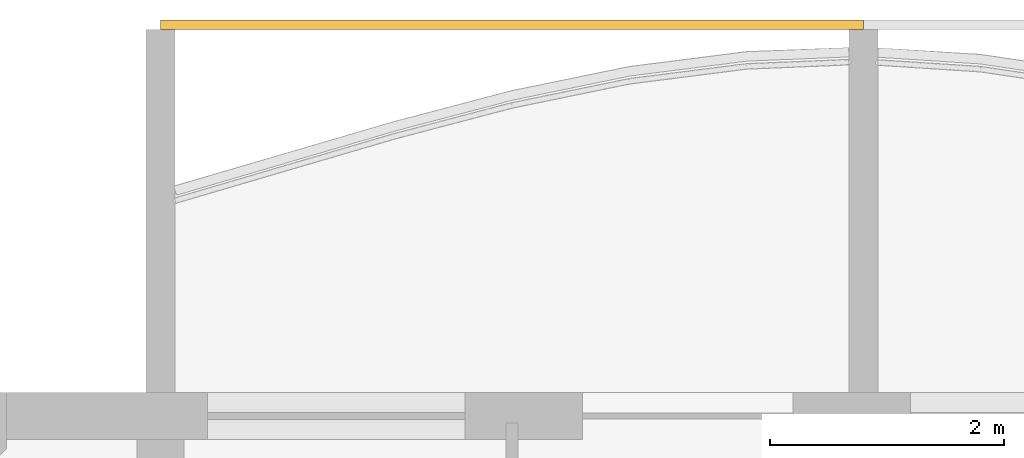
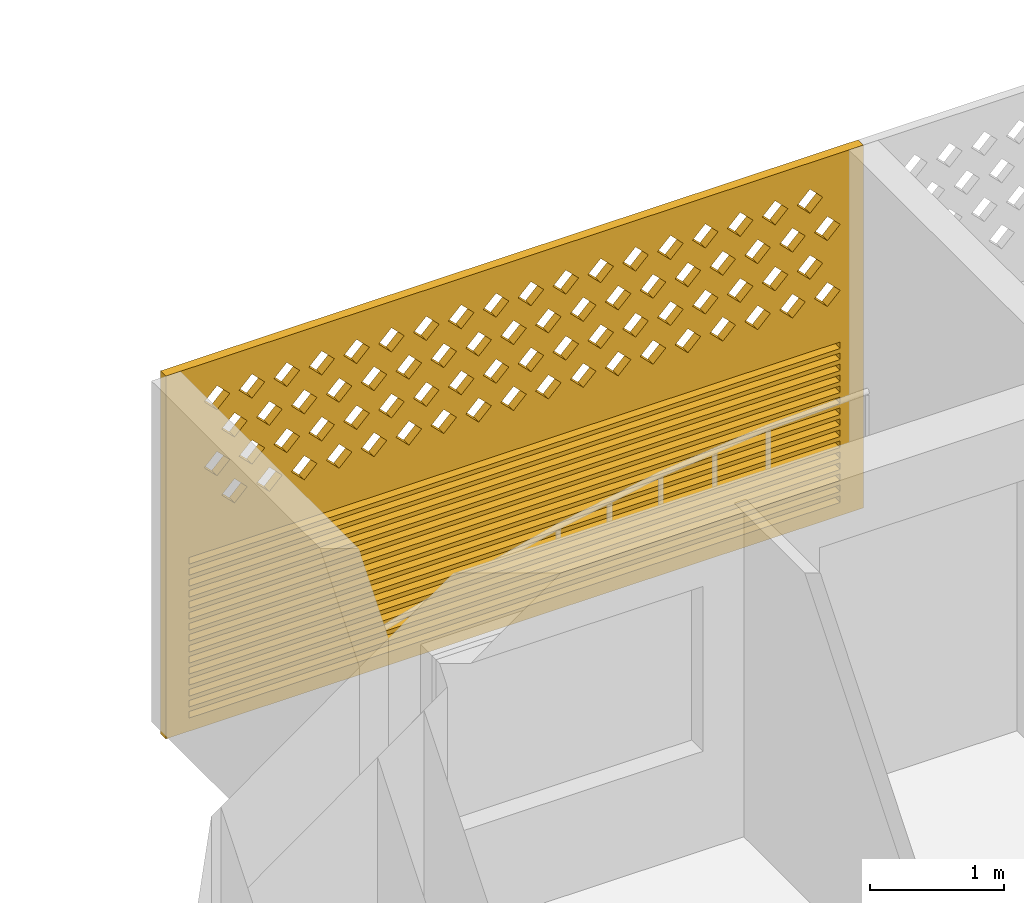
# One storey, part 20 of 39: 1 covering.
"""IFC4 building model written with IfcOpenShell, lengths in metres."""

import ifcopenshell
import ifcopenshell.guid

model = None  # the IFC model being written
_history = None  # IfcOwnerHistory: only IFC2X3 demands one
_inside = {}  # id of a spatial element -> (the spatial element, [elements in it])
_under = {}  # id of a project, library or spatial element -> (it, [spatial elements below it])
_declared = {}  # id of a project -> (the project, [libraries it declares])
_typed = {}  # id of a type object -> (the type object, [elements of that type])
_made_of = {}  # id of a material, layer set ... -> (it, [elements and type objects made of it])


def new_model(schema):
    """Start an empty IFC model of exactly this schema.

    Asked for "IFC4X3", IfcOpenShell would pick the latest addendum, in which some entities
    have other attributes; the version numbers below select the first issue.
    IFC2X3 requires an IfcOwnerHistory on every rooted entity: one is made here for all.
    """
    global model, _history
    if schema == "IFC4X3":
        model = ifcopenshell.file(schema_version=(4, 3, 0, 0))
    else:
        model = ifcopenshell.file(schema=schema)
    _inside.clear()
    _under.clear()
    _declared.clear()
    _typed.clear()
    _made_of.clear()
    _history = None
    if model.schema == "IFC2X3":
        org = make("IfcOrganization", Name="unknown")
        user = make(
            "IfcPersonAndOrganization",
            ThePerson=make("IfcPerson", FamilyName="unknown"),
            TheOrganization=org,
        )
        app = make(
            "IfcApplication",
            ApplicationDeveloper=org,
            Version="unknown",
            ApplicationFullName="unknown",
            ApplicationIdentifier="unknown",
        )
        _history = make(
            "IfcOwnerHistory",
            OwningUser=user,
            OwningApplication=app,
            ChangeAction="ADDED",
            CreationDate=0,
        )
    return model


def make(cls, **values):
    """One entity of the class cls with the attributes given. An attribute that is None is left unset."""
    return model.create_entity(
        cls, **{name: value for name, value in values.items() if value is not None}
    )


def rooted(cls, **values):
    """An entity with a GlobalId (a new one), such as an element, a storey or a relation."""
    return make(cls, GlobalId=ifcopenshell.guid.new(), OwnerHistory=_history, **values)


def si_unit(unit_type, name, prefix=None):
    """IfcSIUnit, for example si_unit("LENGTHUNIT", "METRE", prefix="MILLI")."""
    return make("IfcSIUnit", UnitType=unit_type, Prefix=prefix, Name=name)


def assignment(units):
    """IfcUnitAssignment: the units of a project."""
    return None if units is None else make("IfcUnitAssignment", Units=units)


def point(xyz):
    """IfcCartesianPoint."""
    return None if xyz is None else make("IfcCartesianPoint", Coordinates=xyz)


def direction(xyz):
    """IfcDirection."""
    return None if xyz is None else make("IfcDirection", DirectionRatios=xyz)


def frame(location, z_axis=None, x_axis=None):
    """IfcAxis2Placement3D, a coordinate frame: its origin and axes. An axis left out is left unset."""
    return make(
        "IfcAxis2Placement3D",
        Location=point(location),
        Axis=direction(z_axis),
        RefDirection=direction(x_axis),
    )


def origin():
    """The frame at (0, 0, 0) with its axes left unset."""
    return frame((0.0, 0.0, 0.0))


def place(relative_to, where):
    """IfcLocalPlacement: puts the frame where relative to a parent placement (None: the world)."""
    return make(
        "IfcLocalPlacement", PlacementRelTo=relative_to, RelativePlacement=where
    )


def context(
    kind, dimensions, precision=None, world=None, true_north=None, identifier=None
):
    """IfcGeometricRepresentationContext, for example the 3D "Model" context."""
    return make(
        "IfcGeometricRepresentationContext",
        ContextIdentifier=identifier,
        ContextType=kind,
        CoordinateSpaceDimension=dimensions,
        Precision=precision,
        WorldCoordinateSystem=world,
        TrueNorth=true_north,
    )


def subcontext(parent, identifier, kind, view, scale=None):
    """IfcGeometricRepresentationSubContext, for example "Body" below "Model"."""
    return make(
        "IfcGeometricRepresentationSubContext",
        ContextIdentifier=identifier,
        ContextType=kind,
        ParentContext=parent,
        TargetScale=scale,
        TargetView=view,
    )


def project(units=None, contexts=None):
    """IfcProject with its units and contexts."""
    return rooted(
        "IfcProject",
        Name="project",
        RepresentationContexts=contexts,
        UnitsInContext=assignment(units),
    )


def spatial(cls, under=None, at=None, **own):
    """A site, building, storey or space (cls), placed at a placement, below another one or the project."""
    s = rooted(cls, ObjectPlacement=at, **own)
    if under is not None:
        _under.setdefault(under.id(), (under, []))[1].append(s)
    return s


def polyline(points):
    """IfcPolyline through the points."""
    return make("IfcPolyline", Points=[point(p) for p in points])


def outline(outer, holes=None, kind="AREA"):
    """IfcArbitraryClosedProfileDef: a profile drawn as a closed curve; with holes, ...WithVoids."""
    if holes is None:
        return make("IfcArbitraryClosedProfileDef", ProfileType=kind, OuterCurve=outer)
    return make(
        "IfcArbitraryProfileDefWithVoids",
        ProfileType=kind,
        OuterCurve=outer,
        InnerCurves=holes,
    )


def extrude(swept, where, along, depth):
    """IfcExtrudedAreaSolid: the profile swept, set in the frame where, extruded along a direction by depth."""
    return make(
        "IfcExtrudedAreaSolid",
        SweptArea=swept,
        Position=where,
        ExtrudedDirection=direction(along),
        Depth=depth,
    )


def shape(context_of_items, identifier, shape_type, items):
    """IfcShapeRepresentation: the items that make up one representation, for example the "Body"."""
    return make(
        "IfcShapeRepresentation",
        ContextOfItems=context_of_items,
        RepresentationIdentifier=identifier,
        RepresentationType=shape_type,
        Items=items,
    )


def source(mapping_origin, context_of_items, identifier, shape_type, items):
    """IfcRepresentationMap: a shape defined once, which mapped items show again and again."""
    return make(
        "IfcRepresentationMap",
        MappingOrigin=mapping_origin,
        MappedRepresentation=shape(context_of_items, identifier, shape_type, items),
    )


def transform(
    local_origin,
    x_axis=None,
    y_axis=None,
    z_axis=None,
    scale=None,
    scale2=None,
    scale3=None,
    uniform=True,
):
    """IfcCartesianTransformationOperator3D, or its non-uniform kind. x_axis, y_axis, z_axis: its Axis1, 2, 3."""
    if uniform:
        return make(
            "IfcCartesianTransformationOperator3D",
            Axis1=direction(x_axis),
            Axis2=direction(y_axis),
            LocalOrigin=point(local_origin),
            Scale=scale,
            Axis3=direction(z_axis),
        )
    return make(
        "IfcCartesianTransformationOperator3DnonUniform",
        Axis1=direction(x_axis),
        Axis2=direction(y_axis),
        LocalOrigin=point(local_origin),
        Scale=scale,
        Axis3=direction(z_axis),
        Scale2=scale2,
        Scale3=scale3,
    )


def mapped(mapping_source, mapping_target):
    """IfcMappedItem: shows the shape of a source again, moved by a transform."""
    return make(
        "IfcMappedItem", MappingSource=mapping_source, MappingTarget=mapping_target
    )


def material(Name=None, Category=None):
    """IfcMaterial."""
    return make("IfcMaterial", Name=Name, Category=Category)


def material_profile(
    of_material, cross_section, Name=None, Category=None, Priority=None
):
    """IfcMaterialProfile: a cross section and its material."""
    return make(
        "IfcMaterialProfile",
        Name=Name,
        Material=of_material,
        Profile=cross_section,
        Priority=Priority,
        Category=Category,
    )


def profile_set(profiles, Name=None, composite=None):
    """IfcMaterialProfileSet."""
    return make(
        "IfcMaterialProfileSet",
        Name=Name,
        MaterialProfiles=profiles,
        CompositeProfile=composite,
    )


def made_of(thing, what):
    """Note that an element or type object is made of a material, layer set ...; save() writes the relation."""
    if what is not None:
        _made_of.setdefault(what.id(), (what, []))[1].append(thing)
    return thing


def type_object(cls, material=None, **own):
    """A type object (cls), such as IfcWallType, which elements share."""
    return made_of(rooted(cls, **own), material)


def element(
    cls,
    number,
    at=None,
    inside=None,
    cuts=None,
    type_object=None,
    material=None,
    context=None,
    identifier="Body",
    shape_type=None,
    held_by="IfcProductDefinitionShape",
    body=None,
    shapes=None,
    **own,
):
    """One element of the class cls, such as IfcWall. Its Tag is "e" and its number.

    at: its placement. inside: the storey or other place that contains it. cuts: it is an
    opening in that element (IfcRelVoidsElement). A single representation is given by context,
    identifier, shape_type and body (its items); several are given by shapes. held_by: the class
    of the entity that holds the representations. save() writes the other relations.
    """
    e = rooted(cls, Tag="e%d" % number, ObjectPlacement=at, **own)
    if body is not None:
        shapes = [shape(context, identifier, shape_type, body)]
    if shapes is not None:
        e.Representation = make(held_by, Representations=shapes)
    if inside is not None:
        _inside.setdefault(inside.id(), (inside, []))[1].append(e)
    if cuts is not None:
        rooted(
            "IfcRelVoidsElement", RelatingBuildingElement=cuts, RelatedOpeningElement=e
        )
    if type_object is not None:
        _typed.setdefault(type_object.id(), (type_object, []))[1].append(e)
    return made_of(e, material)


def aggregate(whole, parts):
    """IfcRelAggregates: a whole, such as a stair, and the parts it consists of."""
    return rooted("IfcRelAggregates", RelatingObject=whole, RelatedObjects=parts)


def save(model, path):
    """Write the relations noted so far, then the file.

    IfcRelAggregates (storeys below a building ...), IfcRelContainedInSpatialStructure (elements
    in a storey), IfcRelDefinesByType, IfcRelAssociatesMaterial and IfcRelDeclares: one each for
    every whole, place, type object, material and project.
    """
    for whole, parts in _under.values():
        aggregate(whole, parts)
    for where, things in _inside.values():
        rooted(
            "IfcRelContainedInSpatialStructure",
            RelatedElements=things,
            RelatingStructure=where,
        )
    for kind, things in _typed.values():
        rooted("IfcRelDefinesByType", RelatedObjects=things, RelatingType=kind)
    for what, things in _made_of.values():
        rooted("IfcRelAssociatesMaterial", RelatedObjects=things, RelatingMaterial=what)
    for by, libraries in _declared.values():
        rooted("IfcRelDeclares", RelatingContext=by, RelatedDefinitions=libraries)
    model.write(path)


model = new_model("IFC4")

# Units and contexts
model_context = context("Model", 3, precision=1e-05, world=origin(), true_north=direction((0.0, 1.0)))
body_context = subcontext(model_context, "Body", "Model", "MODEL_VIEW")
ifc_project = project(units=[si_unit("LENGTHUNIT", "METRE"), si_unit("AREAUNIT", "SQUARE_METRE"), si_unit("VOLUMEUNIT", "CUBIC_METRE"), si_unit("PLANEANGLEUNIT", "RADIAN"), si_unit("MASSUNIT", "GRAM", prefix="KILO")], contexts=[model_context])

# Site, building, storey
site_placement = place(None, origin())
site = spatial("IfcSite", under=ifc_project, at=site_placement, CompositionType="ELEMENT")
building_placement = place(site_placement, origin())
building = spatial("IfcBuilding", under=site, at=building_placement, Name="Poui Terraces", CompositionType="ELEMENT")
storey_placement = place(building_placement, frame((0.0, 0.0, 63.0)))
storey = spatial("IfcBuildingStorey", under=building, at=storey_placement, Name="L17", CompositionType="ELEMENT", Elevation=63.0)

# Covering
ifc_material = material(Name="Terracotta screen", Category="masonry")
ifc_material_profile = material_profile(ifc_material, outline(polyline([(-3.0, -1.64990234375), (3.0, -1.64990234375), (3.0, 1.64990234375), (-3.0, 1.64990234375), (-3.0, -1.64990234375)]), holes=[polyline([(-2.800048828125, 0.39990234375), (-2.68994140625, 0.2900390625), (-2.580078125, 0.39990234375), (-2.68994140625, 0.510009765625), (-2.800048828125, 0.39990234375)]), polyline([(-2.5, 0.39990234375), (-2.389892578125, 0.2900390625), (-2.280029296875, 0.39990234375), (-2.389892578125, 0.510009765625), (-2.5, 0.39990234375)]), polyline([(-2.199951171875, 0.39990234375), (-2.090087890625, 0.2900390625), (-1.97998046875, 0.39990234375), (-2.090087890625, 0.510009765625), (-2.199951171875, 0.39990234375)]), polyline([(-1.89990234375, 0.39990234375), (-1.7900390625, 0.2900390625), (-1.679931640625, 0.39990234375), (-1.7900390625, 0.510009765625), (-1.89990234375, 0.39990234375)]), polyline([(-1.60009765625, 0.39990234375), (-1.489990234375, 0.2900390625), (-1.3798828125, 0.39990234375), (-1.489990234375, 0.510009765625), (-1.60009765625, 0.39990234375)]), polyline([(-1.300048828125, 0.39990234375), (-1.18994140625, 0.2900390625), (-1.080078125, 0.39990234375), (-1.18994140625, 0.510009765625), (-1.300048828125, 0.39990234375)]), polyline([(-1.0, 0.39990234375), (-0.889892578125, 0.2900390625), (-0.780029296875, 0.39990234375), (-0.889892578125, 0.510009765625), (-1.0, 0.39990234375)]), polyline([(-0.699951171875, 0.39990234375), (-0.590087890625, 0.2900390625), (-0.47998046875, 0.39990234375), (-0.590087890625, 0.510009765625), (-0.699951171875, 0.39990234375)]), polyline([(-0.39990234375, 0.39990234375), (-0.2900390625, 0.2900390625), (-0.179931640625, 0.39990234375), (-0.2900390625, 0.510009765625), (-0.39990234375, 0.39990234375)]), polyline([(-0.10009765625, 0.39990234375), (0.010009765625, 0.2900390625), (0.1201171875, 0.39990234375), (0.010009765625, 0.510009765625), (-0.10009765625, 0.39990234375)]), polyline([(0.199951171875, 0.39990234375), (0.31005859375, 0.2900390625), (0.419921875, 0.39990234375), (0.31005859375, 0.510009765625), (0.199951171875, 0.39990234375)]), polyline([(0.5, 0.39990234375), (0.610107421875, 0.2900390625), (0.719970703125, 0.39990234375), (0.610107421875, 0.510009765625), (0.5, 0.39990234375)]), polyline([(0.800048828125, 0.39990234375), (0.909912109375, 0.2900390625), (1.02001953125, 0.39990234375), (0.909912109375, 0.510009765625), (0.800048828125, 0.39990234375)]), polyline([(1.10009765625, 0.39990234375), (1.2099609375, 0.2900390625), (1.320068359375, 0.39990234375), (1.2099609375, 0.510009765625), (1.10009765625, 0.39990234375)]), polyline([(1.39990234375, 0.39990234375), (1.510009765625, 0.2900390625), (1.6201171875, 0.39990234375), (1.510009765625, 0.510009765625), (1.39990234375, 0.39990234375)]), polyline([(1.699951171875, 0.39990234375), (1.81005859375, 0.2900390625), (1.919921875, 0.39990234375), (1.81005859375, 0.510009765625), (1.699951171875, 0.39990234375)]), polyline([(2.0, 0.39990234375), (2.110107421875, 0.2900390625), (2.219970703125, 0.39990234375), (2.110107421875, 0.510009765625), (2.0, 0.39990234375)]), polyline([(2.300048828125, 0.39990234375), (2.409912109375, 0.2900390625), (2.52001953125, 0.39990234375), (2.409912109375, 0.510009765625), (2.300048828125, 0.39990234375)]), polyline([(-2.64990234375, 0.699951171875), (-2.5400390625, 0.590087890625), (-2.429931640625, 0.699951171875), (-2.5400390625, 0.81005859375), (-2.64990234375, 0.699951171875)]), polyline([(-2.35009765625, 0.699951171875), (-2.239990234375, 0.590087890625), (-2.1298828125, 0.699951171875), (-2.239990234375, 0.81005859375), (-2.35009765625, 0.699951171875)]), polyline([(-2.050048828125, 0.699951171875), (-1.93994140625, 0.590087890625), (-1.830078125, 0.699951171875), (-1.93994140625, 0.81005859375), (-2.050048828125, 0.699951171875)]), polyline([(-1.75, 0.699951171875), (-1.639892578125, 0.590087890625), (-1.530029296875, 0.699951171875), (-1.639892578125, 0.81005859375), (-1.75, 0.699951171875)]), polyline([(-1.449951171875, 0.699951171875), (-1.340087890625, 0.590087890625), (-1.22998046875, 0.699951171875), (-1.340087890625, 0.81005859375), (-1.449951171875, 0.699951171875)]), polyline([(-1.14990234375, 0.699951171875), (-1.0400390625, 0.590087890625), (-0.929931640625, 0.699951171875), (-1.0400390625, 0.81005859375), (-1.14990234375, 0.699951171875)]), polyline([(-0.85009765625, 0.699951171875), (-0.739990234375, 0.590087890625), (-0.6298828125, 0.699951171875), (-0.739990234375, 0.81005859375), (-0.85009765625, 0.699951171875)]), polyline([(-0.550048828125, 0.699951171875), (-0.43994140625, 0.590087890625), (-0.330078125, 0.699951171875), (-0.43994140625, 0.81005859375), (-0.550048828125, 0.699951171875)]), polyline([(-0.25, 0.699951171875), (-0.139892578125, 0.590087890625), (-0.030029296875, 0.699951171875), (-0.139892578125, 0.81005859375), (-0.25, 0.699951171875)]), polyline([(0.050048828125, 0.699951171875), (0.159912109375, 0.590087890625), (0.27001953125, 0.699951171875), (0.159912109375, 0.81005859375), (0.050048828125, 0.699951171875)]), polyline([(0.35009765625, 0.699951171875), (0.4599609375, 0.590087890625), (0.570068359375, 0.699951171875), (0.4599609375, 0.81005859375), (0.35009765625, 0.699951171875)]), polyline([(0.64990234375, 0.699951171875), (0.760009765625, 0.590087890625), (0.8701171875, 0.699951171875), (0.760009765625, 0.81005859375), (0.64990234375, 0.699951171875)]), polyline([(0.949951171875, 0.699951171875), (1.06005859375, 0.590087890625), (1.169921875, 0.699951171875), (1.06005859375, 0.81005859375), (0.949951171875, 0.699951171875)]), polyline([(1.25, 0.699951171875), (1.360107421875, 0.590087890625), (1.469970703125, 0.699951171875), (1.360107421875, 0.81005859375), (1.25, 0.699951171875)]), polyline([(1.550048828125, 0.699951171875), (1.659912109375, 0.590087890625), (1.77001953125, 0.699951171875), (1.659912109375, 0.81005859375), (1.550048828125, 0.699951171875)]), polyline([(1.85009765625, 0.699951171875), (1.9599609375, 0.590087890625), (2.070068359375, 0.699951171875), (1.9599609375, 0.81005859375), (1.85009765625, 0.699951171875)]), polyline([(2.14990234375, 0.699951171875), (2.260009765625, 0.590087890625), (2.3701171875, 0.699951171875), (2.260009765625, 0.81005859375), (2.14990234375, 0.699951171875)]), polyline([(2.449951171875, 0.699951171875), (2.56005859375, 0.590087890625), (2.669921875, 0.699951171875), (2.56005859375, 0.81005859375), (2.449951171875, 0.699951171875)]), polyline([(-2.800048828125, 1.0), (-2.68994140625, 0.889892578125), (-2.580078125, 1.0), (-2.68994140625, 1.110107421875), (-2.800048828125, 1.0)]), polyline([(-2.5, 1.0), (-2.389892578125, 0.889892578125), (-2.280029296875, 1.0), (-2.389892578125, 1.110107421875), (-2.5, 1.0)]), polyline([(-2.199951171875, 1.0), (-2.090087890625, 0.889892578125), (-1.97998046875, 1.0), (-2.090087890625, 1.110107421875), (-2.199951171875, 1.0)]), polyline([(-1.89990234375, 1.0), (-1.7900390625, 0.889892578125), (-1.679931640625, 1.0), (-1.7900390625, 1.110107421875), (-1.89990234375, 1.0)]), polyline([(-1.60009765625, 1.0), (-1.489990234375, 0.889892578125), (-1.3798828125, 1.0), (-1.489990234375, 1.110107421875), (-1.60009765625, 1.0)]), polyline([(-1.300048828125, 1.0), (-1.18994140625, 0.889892578125), (-1.080078125, 1.0), (-1.18994140625, 1.110107421875), (-1.300048828125, 1.0)]), polyline([(-1.0, 1.0), (-0.889892578125, 0.889892578125), (-0.780029296875, 1.0), (-0.889892578125, 1.110107421875), (-1.0, 1.0)]), polyline([(-0.699951171875, 1.0), (-0.590087890625, 0.889892578125), (-0.47998046875, 1.0), (-0.590087890625, 1.110107421875), (-0.699951171875, 1.0)]), polyline([(-0.39990234375, 1.0), (-0.2900390625, 0.889892578125), (-0.179931640625, 1.0), (-0.2900390625, 1.110107421875), (-0.39990234375, 1.0)]), polyline([(-0.10009765625, 1.0), (0.010009765625, 0.889892578125), (0.1201171875, 1.0), (0.010009765625, 1.110107421875), (-0.10009765625, 1.0)]), polyline([(0.199951171875, 1.0), (0.31005859375, 0.889892578125), (0.419921875, 1.0), (0.31005859375, 1.110107421875), (0.199951171875, 1.0)]), polyline([(0.5, 1.0), (0.610107421875, 0.889892578125), (0.719970703125, 1.0), (0.610107421875, 1.110107421875), (0.5, 1.0)]), polyline([(0.800048828125, 1.0), (0.909912109375, 0.889892578125), (1.02001953125, 1.0), (0.909912109375, 1.110107421875), (0.800048828125, 1.0)]), polyline([(1.10009765625, 1.0), (1.2099609375, 0.889892578125), (1.320068359375, 1.0), (1.2099609375, 1.110107421875), (1.10009765625, 1.0)]), polyline([(1.39990234375, 1.0), (1.510009765625, 0.889892578125), (1.6201171875, 1.0), (1.510009765625, 1.110107421875), (1.39990234375, 1.0)]), polyline([(1.699951171875, 1.0), (1.81005859375, 0.889892578125), (1.919921875, 1.0), (1.81005859375, 1.110107421875), (1.699951171875, 1.0)]), polyline([(2.0, 1.0), (2.110107421875, 0.889892578125), (2.219970703125, 1.0), (2.110107421875, 1.110107421875), (2.0, 1.0)]), polyline([(2.300048828125, 1.0), (2.409912109375, 0.889892578125), (2.52001953125, 1.0), (2.409912109375, 1.110107421875), (2.300048828125, 1.0)]), polyline([(-2.64990234375, 1.300048828125), (-2.5400390625, 1.18994140625), (-2.429931640625, 1.300048828125), (-2.5400390625, 1.409912109375), (-2.64990234375, 1.300048828125)]), polyline([(-2.35009765625, 1.300048828125), (-2.239990234375, 1.18994140625), (-2.1298828125, 1.300048828125), (-2.239990234375, 1.409912109375), (-2.35009765625, 1.300048828125)]), polyline([(-2.050048828125, 1.300048828125), (-1.93994140625, 1.18994140625), (-1.830078125, 1.300048828125), (-1.93994140625, 1.409912109375), (-2.050048828125, 1.300048828125)]), polyline([(-1.75, 1.300048828125), (-1.639892578125, 1.18994140625), (-1.530029296875, 1.300048828125), (-1.639892578125, 1.409912109375), (-1.75, 1.300048828125)]), polyline([(-1.449951171875, 1.300048828125), (-1.340087890625, 1.18994140625), (-1.22998046875, 1.300048828125), (-1.340087890625, 1.409912109375), (-1.449951171875, 1.300048828125)]), polyline([(-1.14990234375, 1.300048828125), (-1.0400390625, 1.18994140625), (-0.929931640625, 1.300048828125), (-1.0400390625, 1.409912109375), (-1.14990234375, 1.300048828125)]), polyline([(-0.85009765625, 1.300048828125), (-0.739990234375, 1.18994140625), (-0.6298828125, 1.300048828125), (-0.739990234375, 1.409912109375), (-0.85009765625, 1.300048828125)]), polyline([(-0.550048828125, 1.300048828125), (-0.43994140625, 1.18994140625), (-0.330078125, 1.300048828125), (-0.43994140625, 1.409912109375), (-0.550048828125, 1.300048828125)]), polyline([(-0.25, 1.300048828125), (-0.139892578125, 1.18994140625), (-0.030029296875, 1.300048828125), (-0.139892578125, 1.409912109375), (-0.25, 1.300048828125)]), polyline([(0.050048828125, 1.300048828125), (0.159912109375, 1.18994140625), (0.27001953125, 1.300048828125), (0.159912109375, 1.409912109375), (0.050048828125, 1.300048828125)]), polyline([(0.35009765625, 1.300048828125), (0.4599609375, 1.18994140625), (0.570068359375, 1.300048828125), (0.4599609375, 1.409912109375), (0.35009765625, 1.300048828125)]), polyline([(0.64990234375, 1.300048828125), (0.760009765625, 1.18994140625), (0.8701171875, 1.300048828125), (0.760009765625, 1.409912109375), (0.64990234375, 1.300048828125)]), polyline([(0.949951171875, 1.300048828125), (1.06005859375, 1.18994140625), (1.169921875, 1.300048828125), (1.06005859375, 1.409912109375), (0.949951171875, 1.300048828125)]), polyline([(1.25, 1.300048828125), (1.360107421875, 1.18994140625), (1.469970703125, 1.300048828125), (1.360107421875, 1.409912109375), (1.25, 1.300048828125)]), polyline([(1.550048828125, 1.300048828125), (1.659912109375, 1.18994140625), (1.77001953125, 1.300048828125), (1.659912109375, 1.409912109375), (1.550048828125, 1.300048828125)]), polyline([(1.85009765625, 1.300048828125), (1.9599609375, 1.18994140625), (2.070068359375, 1.300048828125), (1.9599609375, 1.409912109375), (1.85009765625, 1.300048828125)]), polyline([(2.14990234375, 1.300048828125), (2.260009765625, 1.18994140625), (2.3701171875, 1.300048828125), (2.260009765625, 1.409912109375), (2.14990234375, 1.300048828125)]), polyline([(2.449951171875, 1.300048828125), (2.56005859375, 1.18994140625), (2.669921875, 1.300048828125), (2.56005859375, 1.409912109375), (2.449951171875, 1.300048828125)]), polyline([(-2.800048828125, -1.530029296875), (2.800048828125, -1.530029296875), (2.800048828125, -1.469970703125), (-2.800048828125, -1.469970703125), (-2.800048828125, -1.530029296875)]), polyline([(-2.800048828125, -1.429931640625), (2.800048828125, -1.429931640625), (2.800048828125, -1.3701171875), (-2.800048828125, -1.3701171875), (-2.800048828125, -1.429931640625)]), polyline([(-2.800048828125, -1.330078125), (2.800048828125, -1.330078125), (2.800048828125, -1.27001953125), (-2.800048828125, -1.27001953125), (-2.800048828125, -1.330078125)]), polyline([(-2.800048828125, -1.22998046875), (2.800048828125, -1.22998046875), (2.800048828125, -1.169921875), (-2.800048828125, -1.169921875), (-2.800048828125, -1.22998046875)]), polyline([(-2.800048828125, -1.1298828125), (2.800048828125, -1.1298828125), (2.800048828125, -1.070068359375), (-2.800048828125, -1.070068359375), (-2.800048828125, -1.1298828125)]), polyline([(-2.800048828125, -1.030029296875), (2.800048828125, -1.030029296875), (2.800048828125, -0.969970703125), (-2.800048828125, -0.969970703125), (-2.800048828125, -1.030029296875)]), polyline([(-2.800048828125, -0.929931640625), (2.800048828125, -0.929931640625), (2.800048828125, -0.8701171875), (-2.800048828125, -0.8701171875), (-2.800048828125, -0.929931640625)]), polyline([(-2.800048828125, -0.830078125), (2.800048828125, -0.830078125), (2.800048828125, -0.77001953125), (-2.800048828125, -0.77001953125), (-2.800048828125, -0.830078125)]), polyline([(-2.800048828125, -0.72998046875), (2.800048828125, -0.72998046875), (2.800048828125, -0.669921875), (-2.800048828125, -0.669921875), (-2.800048828125, -0.72998046875)]), polyline([(-2.800048828125, -0.6298828125), (2.800048828125, -0.6298828125), (2.800048828125, -0.570068359375), (-2.800048828125, -0.570068359375), (-2.800048828125, -0.6298828125)]), polyline([(-2.800048828125, -0.530029296875), (2.800048828125, -0.530029296875), (2.800048828125, -0.469970703125), (-2.800048828125, -0.469970703125), (-2.800048828125, -0.530029296875)]), polyline([(-2.800048828125, -0.429931640625), (2.800048828125, -0.429931640625), (2.800048828125, -0.3701171875), (-2.800048828125, -0.3701171875), (-2.800048828125, -0.429931640625)]), polyline([(-2.800048828125, -0.330078125), (2.800048828125, -0.330078125), (2.800048828125, -0.27001953125), (-2.800048828125, -0.27001953125), (-2.800048828125, -0.330078125)]), polyline([(-2.800048828125, -0.22998046875), (2.800048828125, -0.22998046875), (2.800048828125, -0.169921875), (-2.800048828125, -0.169921875), (-2.800048828125, -0.22998046875)]), polyline([(-2.800048828125, -0.1298828125), (2.800048828125, -0.1298828125), (2.800048828125, -0.070068359375), (-2.800048828125, -0.070068359375), (-2.800048828125, -0.1298828125)])]), Name="TERRACOTTA SCREEN AND JALOUSIE LOUVRE 6000X3300")
ifc_profile_set = profile_set([ifc_material_profile], Name="Terracotta screen")
covering_type = type_object("IfcCoveringType", Name="TERRACOTTA SCREEN AND JALOUSIE LOUVRE 6000X3300", PredefinedType="CLADDING", material=ifc_profile_set)
shared_shape = source(origin(), body_context, "Body", "SweptSolid", [
    extrude(outline(polyline([(-3.0, -1.64990234375), (3.0, -1.64990234375), (3.0, 1.64990234375), (-3.0, 1.64990234375), (-3.0, -1.64990234375)]), holes=[polyline([(-2.800048828125, 0.39990234375), (-2.68994140625, 0.2900390625), (-2.580078125, 0.39990234375), (-2.68994140625, 0.510009765625), (-2.800048828125, 0.39990234375)]), polyline([(-2.5, 0.39990234375), (-2.389892578125, 0.2900390625), (-2.280029296875, 0.39990234375), (-2.389892578125, 0.510009765625), (-2.5, 0.39990234375)]), polyline([(-2.199951171875, 0.39990234375), (-2.090087890625, 0.2900390625), (-1.97998046875, 0.39990234375), (-2.090087890625, 0.510009765625), (-2.199951171875, 0.39990234375)]), polyline([(-1.89990234375, 0.39990234375), (-1.7900390625, 0.2900390625), (-1.679931640625, 0.39990234375), (-1.7900390625, 0.510009765625), (-1.89990234375, 0.39990234375)]), polyline([(-1.60009765625, 0.39990234375), (-1.489990234375, 0.2900390625), (-1.3798828125, 0.39990234375), (-1.489990234375, 0.510009765625), (-1.60009765625, 0.39990234375)]), polyline([(-1.300048828125, 0.39990234375), (-1.18994140625, 0.2900390625), (-1.080078125, 0.39990234375), (-1.18994140625, 0.510009765625), (-1.300048828125, 0.39990234375)]), polyline([(-1.0, 0.39990234375), (-0.889892578125, 0.2900390625), (-0.780029296875, 0.39990234375), (-0.889892578125, 0.510009765625), (-1.0, 0.39990234375)]), polyline([(-0.699951171875, 0.39990234375), (-0.590087890625, 0.2900390625), (-0.47998046875, 0.39990234375), (-0.590087890625, 0.510009765625), (-0.699951171875, 0.39990234375)]), polyline([(-0.39990234375, 0.39990234375), (-0.2900390625, 0.2900390625), (-0.179931640625, 0.39990234375), (-0.2900390625, 0.510009765625), (-0.39990234375, 0.39990234375)]), polyline([(-0.10009765625, 0.39990234375), (0.010009765625, 0.2900390625), (0.1201171875, 0.39990234375), (0.010009765625, 0.510009765625), (-0.10009765625, 0.39990234375)]), polyline([(0.199951171875, 0.39990234375), (0.31005859375, 0.2900390625), (0.419921875, 0.39990234375), (0.31005859375, 0.510009765625), (0.199951171875, 0.39990234375)]), polyline([(0.5, 0.39990234375), (0.610107421875, 0.2900390625), (0.719970703125, 0.39990234375), (0.610107421875, 0.510009765625), (0.5, 0.39990234375)]), polyline([(0.800048828125, 0.39990234375), (0.909912109375, 0.2900390625), (1.02001953125, 0.39990234375), (0.909912109375, 0.510009765625), (0.800048828125, 0.39990234375)]), polyline([(1.10009765625, 0.39990234375), (1.2099609375, 0.2900390625), (1.320068359375, 0.39990234375), (1.2099609375, 0.510009765625), (1.10009765625, 0.39990234375)]), polyline([(1.39990234375, 0.39990234375), (1.510009765625, 0.2900390625), (1.6201171875, 0.39990234375), (1.510009765625, 0.510009765625), (1.39990234375, 0.39990234375)]), polyline([(1.699951171875, 0.39990234375), (1.81005859375, 0.2900390625), (1.919921875, 0.39990234375), (1.81005859375, 0.510009765625), (1.699951171875, 0.39990234375)]), polyline([(2.0, 0.39990234375), (2.110107421875, 0.2900390625), (2.219970703125, 0.39990234375), (2.110107421875, 0.510009765625), (2.0, 0.39990234375)]), polyline([(2.300048828125, 0.39990234375), (2.409912109375, 0.2900390625), (2.52001953125, 0.39990234375), (2.409912109375, 0.510009765625), (2.300048828125, 0.39990234375)]), polyline([(-2.64990234375, 0.699951171875), (-2.5400390625, 0.590087890625), (-2.429931640625, 0.699951171875), (-2.5400390625, 0.81005859375), (-2.64990234375, 0.699951171875)]), polyline([(-2.35009765625, 0.699951171875), (-2.239990234375, 0.590087890625), (-2.1298828125, 0.699951171875), (-2.239990234375, 0.81005859375), (-2.35009765625, 0.699951171875)]), polyline([(-2.050048828125, 0.699951171875), (-1.93994140625, 0.590087890625), (-1.830078125, 0.699951171875), (-1.93994140625, 0.81005859375), (-2.050048828125, 0.699951171875)]), polyline([(-1.75, 0.699951171875), (-1.639892578125, 0.590087890625), (-1.530029296875, 0.699951171875), (-1.639892578125, 0.81005859375), (-1.75, 0.699951171875)]), polyline([(-1.449951171875, 0.699951171875), (-1.340087890625, 0.590087890625), (-1.22998046875, 0.699951171875), (-1.340087890625, 0.81005859375), (-1.449951171875, 0.699951171875)]), polyline([(-1.14990234375, 0.699951171875), (-1.0400390625, 0.590087890625), (-0.929931640625, 0.699951171875), (-1.0400390625, 0.81005859375), (-1.14990234375, 0.699951171875)]), polyline([(-0.85009765625, 0.699951171875), (-0.739990234375, 0.590087890625), (-0.6298828125, 0.699951171875), (-0.739990234375, 0.81005859375), (-0.85009765625, 0.699951171875)]), polyline([(-0.550048828125, 0.699951171875), (-0.43994140625, 0.590087890625), (-0.330078125, 0.699951171875), (-0.43994140625, 0.81005859375), (-0.550048828125, 0.699951171875)]), polyline([(-0.25, 0.699951171875), (-0.139892578125, 0.590087890625), (-0.030029296875, 0.699951171875), (-0.139892578125, 0.81005859375), (-0.25, 0.699951171875)]), polyline([(0.050048828125, 0.699951171875), (0.159912109375, 0.590087890625), (0.27001953125, 0.699951171875), (0.159912109375, 0.81005859375), (0.050048828125, 0.699951171875)]), polyline([(0.35009765625, 0.699951171875), (0.4599609375, 0.590087890625), (0.570068359375, 0.699951171875), (0.4599609375, 0.81005859375), (0.35009765625, 0.699951171875)]), polyline([(0.64990234375, 0.699951171875), (0.760009765625, 0.590087890625), (0.8701171875, 0.699951171875), (0.760009765625, 0.81005859375), (0.64990234375, 0.699951171875)]), polyline([(0.949951171875, 0.699951171875), (1.06005859375, 0.590087890625), (1.169921875, 0.699951171875), (1.06005859375, 0.81005859375), (0.949951171875, 0.699951171875)]), polyline([(1.25, 0.699951171875), (1.360107421875, 0.590087890625), (1.469970703125, 0.699951171875), (1.360107421875, 0.81005859375), (1.25, 0.699951171875)]), polyline([(1.550048828125, 0.699951171875), (1.659912109375, 0.590087890625), (1.77001953125, 0.699951171875), (1.659912109375, 0.81005859375), (1.550048828125, 0.699951171875)]), polyline([(1.85009765625, 0.699951171875), (1.9599609375, 0.590087890625), (2.070068359375, 0.699951171875), (1.9599609375, 0.81005859375), (1.85009765625, 0.699951171875)]), polyline([(2.14990234375, 0.699951171875), (2.260009765625, 0.590087890625), (2.3701171875, 0.699951171875), (2.260009765625, 0.81005859375), (2.14990234375, 0.699951171875)]), polyline([(2.449951171875, 0.699951171875), (2.56005859375, 0.590087890625), (2.669921875, 0.699951171875), (2.56005859375, 0.81005859375), (2.449951171875, 0.699951171875)]), polyline([(-2.800048828125, 1.0), (-2.68994140625, 0.889892578125), (-2.580078125, 1.0), (-2.68994140625, 1.110107421875), (-2.800048828125, 1.0)]), polyline([(-2.5, 1.0), (-2.389892578125, 0.889892578125), (-2.280029296875, 1.0), (-2.389892578125, 1.110107421875), (-2.5, 1.0)]), polyline([(-2.199951171875, 1.0), (-2.090087890625, 0.889892578125), (-1.97998046875, 1.0), (-2.090087890625, 1.110107421875), (-2.199951171875, 1.0)]), polyline([(-1.89990234375, 1.0), (-1.7900390625, 0.889892578125), (-1.679931640625, 1.0), (-1.7900390625, 1.110107421875), (-1.89990234375, 1.0)]), polyline([(-1.60009765625, 1.0), (-1.489990234375, 0.889892578125), (-1.3798828125, 1.0), (-1.489990234375, 1.110107421875), (-1.60009765625, 1.0)]), polyline([(-1.300048828125, 1.0), (-1.18994140625, 0.889892578125), (-1.080078125, 1.0), (-1.18994140625, 1.110107421875), (-1.300048828125, 1.0)]), polyline([(-1.0, 1.0), (-0.889892578125, 0.889892578125), (-0.780029296875, 1.0), (-0.889892578125, 1.110107421875), (-1.0, 1.0)]), polyline([(-0.699951171875, 1.0), (-0.590087890625, 0.889892578125), (-0.47998046875, 1.0), (-0.590087890625, 1.110107421875), (-0.699951171875, 1.0)]), polyline([(-0.39990234375, 1.0), (-0.2900390625, 0.889892578125), (-0.179931640625, 1.0), (-0.2900390625, 1.110107421875), (-0.39990234375, 1.0)]), polyline([(-0.10009765625, 1.0), (0.010009765625, 0.889892578125), (0.1201171875, 1.0), (0.010009765625, 1.110107421875), (-0.10009765625, 1.0)]), polyline([(0.199951171875, 1.0), (0.31005859375, 0.889892578125), (0.419921875, 1.0), (0.31005859375, 1.110107421875), (0.199951171875, 1.0)]), polyline([(0.5, 1.0), (0.610107421875, 0.889892578125), (0.719970703125, 1.0), (0.610107421875, 1.110107421875), (0.5, 1.0)]), polyline([(0.800048828125, 1.0), (0.909912109375, 0.889892578125), (1.02001953125, 1.0), (0.909912109375, 1.110107421875), (0.800048828125, 1.0)]), polyline([(1.10009765625, 1.0), (1.2099609375, 0.889892578125), (1.320068359375, 1.0), (1.2099609375, 1.110107421875), (1.10009765625, 1.0)]), polyline([(1.39990234375, 1.0), (1.510009765625, 0.889892578125), (1.6201171875, 1.0), (1.510009765625, 1.110107421875), (1.39990234375, 1.0)]), polyline([(1.699951171875, 1.0), (1.81005859375, 0.889892578125), (1.919921875, 1.0), (1.81005859375, 1.110107421875), (1.699951171875, 1.0)]), polyline([(2.0, 1.0), (2.110107421875, 0.889892578125), (2.219970703125, 1.0), (2.110107421875, 1.110107421875), (2.0, 1.0)]), polyline([(2.300048828125, 1.0), (2.409912109375, 0.889892578125), (2.52001953125, 1.0), (2.409912109375, 1.110107421875), (2.300048828125, 1.0)]), polyline([(-2.64990234375, 1.300048828125), (-2.5400390625, 1.18994140625), (-2.429931640625, 1.300048828125), (-2.5400390625, 1.409912109375), (-2.64990234375, 1.300048828125)]), polyline([(-2.35009765625, 1.300048828125), (-2.239990234375, 1.18994140625), (-2.1298828125, 1.300048828125), (-2.239990234375, 1.409912109375), (-2.35009765625, 1.300048828125)]), polyline([(-2.050048828125, 1.300048828125), (-1.93994140625, 1.18994140625), (-1.830078125, 1.300048828125), (-1.93994140625, 1.409912109375), (-2.050048828125, 1.300048828125)]), polyline([(-1.75, 1.300048828125), (-1.639892578125, 1.18994140625), (-1.530029296875, 1.300048828125), (-1.639892578125, 1.409912109375), (-1.75, 1.300048828125)]), polyline([(-1.449951171875, 1.300048828125), (-1.340087890625, 1.18994140625), (-1.22998046875, 1.300048828125), (-1.340087890625, 1.409912109375), (-1.449951171875, 1.300048828125)]), polyline([(-1.14990234375, 1.300048828125), (-1.0400390625, 1.18994140625), (-0.929931640625, 1.300048828125), (-1.0400390625, 1.409912109375), (-1.14990234375, 1.300048828125)]), polyline([(-0.85009765625, 1.300048828125), (-0.739990234375, 1.18994140625), (-0.6298828125, 1.300048828125), (-0.739990234375, 1.409912109375), (-0.85009765625, 1.300048828125)]), polyline([(-0.550048828125, 1.300048828125), (-0.43994140625, 1.18994140625), (-0.330078125, 1.300048828125), (-0.43994140625, 1.409912109375), (-0.550048828125, 1.300048828125)]), polyline([(-0.25, 1.300048828125), (-0.139892578125, 1.18994140625), (-0.030029296875, 1.300048828125), (-0.139892578125, 1.409912109375), (-0.25, 1.300048828125)]), polyline([(0.050048828125, 1.300048828125), (0.159912109375, 1.18994140625), (0.27001953125, 1.300048828125), (0.159912109375, 1.409912109375), (0.050048828125, 1.300048828125)]), polyline([(0.35009765625, 1.300048828125), (0.4599609375, 1.18994140625), (0.570068359375, 1.300048828125), (0.4599609375, 1.409912109375), (0.35009765625, 1.300048828125)]), polyline([(0.64990234375, 1.300048828125), (0.760009765625, 1.18994140625), (0.8701171875, 1.300048828125), (0.760009765625, 1.409912109375), (0.64990234375, 1.300048828125)]), polyline([(0.949951171875, 1.300048828125), (1.06005859375, 1.18994140625), (1.169921875, 1.300048828125), (1.06005859375, 1.409912109375), (0.949951171875, 1.300048828125)]), polyline([(1.25, 1.300048828125), (1.360107421875, 1.18994140625), (1.469970703125, 1.300048828125), (1.360107421875, 1.409912109375), (1.25, 1.300048828125)]), polyline([(1.550048828125, 1.300048828125), (1.659912109375, 1.18994140625), (1.77001953125, 1.300048828125), (1.659912109375, 1.409912109375), (1.550048828125, 1.300048828125)]), polyline([(1.85009765625, 1.300048828125), (1.9599609375, 1.18994140625), (2.070068359375, 1.300048828125), (1.9599609375, 1.409912109375), (1.85009765625, 1.300048828125)]), polyline([(2.14990234375, 1.300048828125), (2.260009765625, 1.18994140625), (2.3701171875, 1.300048828125), (2.260009765625, 1.409912109375), (2.14990234375, 1.300048828125)]), polyline([(2.449951171875, 1.300048828125), (2.56005859375, 1.18994140625), (2.669921875, 1.300048828125), (2.56005859375, 1.409912109375), (2.449951171875, 1.300048828125)]), polyline([(-2.800048828125, -1.530029296875), (2.800048828125, -1.530029296875), (2.800048828125, -1.469970703125), (-2.800048828125, -1.469970703125), (-2.800048828125, -1.530029296875)]), polyline([(-2.800048828125, -1.429931640625), (2.800048828125, -1.429931640625), (2.800048828125, -1.3701171875), (-2.800048828125, -1.3701171875), (-2.800048828125, -1.429931640625)]), polyline([(-2.800048828125, -1.330078125), (2.800048828125, -1.330078125), (2.800048828125, -1.27001953125), (-2.800048828125, -1.27001953125), (-2.800048828125, -1.330078125)]), polyline([(-2.800048828125, -1.22998046875), (2.800048828125, -1.22998046875), (2.800048828125, -1.169921875), (-2.800048828125, -1.169921875), (-2.800048828125, -1.22998046875)]), polyline([(-2.800048828125, -1.1298828125), (2.800048828125, -1.1298828125), (2.800048828125, -1.070068359375), (-2.800048828125, -1.070068359375), (-2.800048828125, -1.1298828125)]), polyline([(-2.800048828125, -1.030029296875), (2.800048828125, -1.030029296875), (2.800048828125, -0.969970703125), (-2.800048828125, -0.969970703125), (-2.800048828125, -1.030029296875)]), polyline([(-2.800048828125, -0.929931640625), (2.800048828125, -0.929931640625), (2.800048828125, -0.8701171875), (-2.800048828125, -0.8701171875), (-2.800048828125, -0.929931640625)]), polyline([(-2.800048828125, -0.830078125), (2.800048828125, -0.830078125), (2.800048828125, -0.77001953125), (-2.800048828125, -0.77001953125), (-2.800048828125, -0.830078125)]), polyline([(-2.800048828125, -0.72998046875), (2.800048828125, -0.72998046875), (2.800048828125, -0.669921875), (-2.800048828125, -0.669921875), (-2.800048828125, -0.72998046875)]), polyline([(-2.800048828125, -0.6298828125), (2.800048828125, -0.6298828125), (2.800048828125, -0.570068359375), (-2.800048828125, -0.570068359375), (-2.800048828125, -0.6298828125)]), polyline([(-2.800048828125, -0.530029296875), (2.800048828125, -0.530029296875), (2.800048828125, -0.469970703125), (-2.800048828125, -0.469970703125), (-2.800048828125, -0.530029296875)]), polyline([(-2.800048828125, -0.429931640625), (2.800048828125, -0.429931640625), (2.800048828125, -0.3701171875), (-2.800048828125, -0.3701171875), (-2.800048828125, -0.429931640625)]), polyline([(-2.800048828125, -0.330078125), (2.800048828125, -0.330078125), (2.800048828125, -0.27001953125), (-2.800048828125, -0.27001953125), (-2.800048828125, -0.330078125)]), polyline([(-2.800048828125, -0.22998046875), (2.800048828125, -0.22998046875), (2.800048828125, -0.169921875), (-2.800048828125, -0.169921875), (-2.800048828125, -0.22998046875)]), polyline([(-2.800048828125, -0.1298828125), (2.800048828125, -0.1298828125), (2.800048828125, -0.070068359375), (-2.800048828125, -0.070068359375), (-2.800048828125, -0.1298828125)])]), origin(), (0.0, 0.0, 1.0), 0.079833984375),
])
covering_placement = place(storey_placement, frame((15.0, 48.10009765625, 1.449951171875), z_axis=(0.0, 1.0, 0.0), x_axis=(-1.0, 0.0, 0.0)))
element("IfcCovering", 1, at=covering_placement, inside=storey, type_object=covering_type, Name="SOLAR SCREEN AND JALOUSIE LOUVRE", PredefinedType="CLADDING", context=body_context, shape_type="MappedRepresentation", body=[
    mapped(shared_shape, transform((0.0, 0.0, 0.0))),
])

save(model, "model.ifc")
